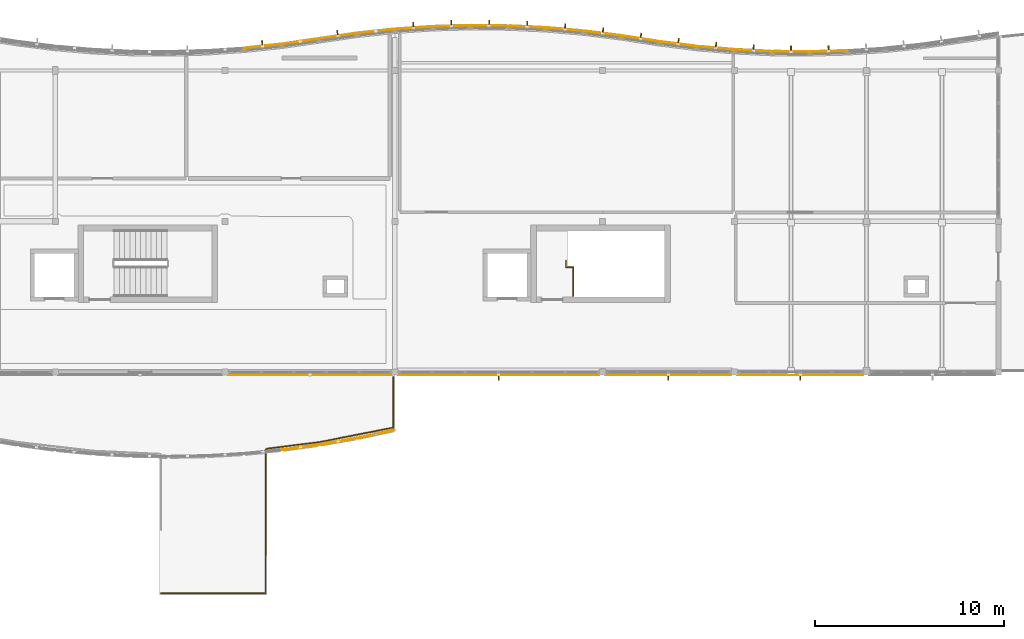
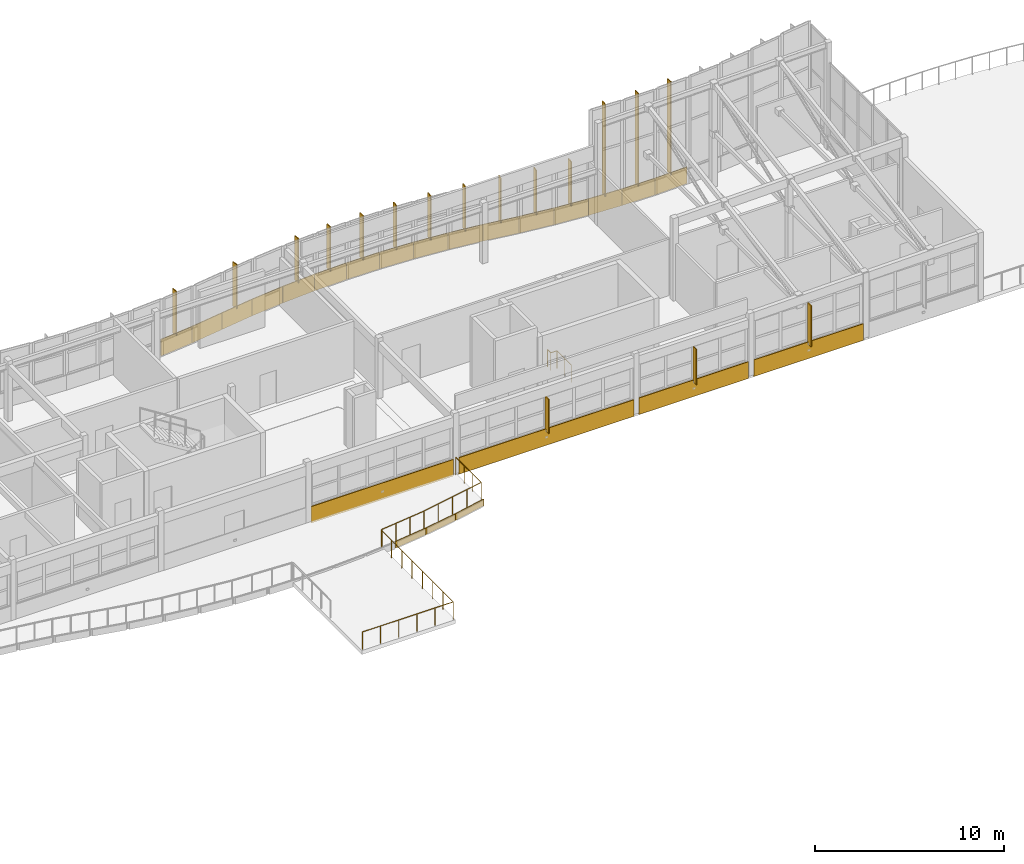
# One storey, part 32 of 33: 23 coverings, 17 shading devices, 2 railings.
"""IFC4 building model written with IfcOpenShell, lengths in metres."""

from ifc_helpers import new_model, si_unit, direction, frame, origin, origin_2d, place, context, subcontext, project, spatial, polyline, rectangle, circle, outline, extrude, material, layer, layer_set, type_object, element, save


model = new_model("IFC4")

# Units and contexts
model_context = context("Model", 3, precision=1e-05, world=origin(), true_north=direction((0.0, 1.0)))
body_context = subcontext(model_context, "Body", "Model", "MODEL_VIEW")
ifc_project = project(units=[si_unit("LENGTHUNIT", "METRE"), si_unit("AREAUNIT", "SQUARE_METRE"), si_unit("VOLUMEUNIT", "CUBIC_METRE"), si_unit("PLANEANGLEUNIT", "RADIAN"), si_unit("MASSUNIT", "GRAM", prefix="KILO")], contexts=[model_context])

# Site, building, storey
site_placement = place(None, origin())
site = spatial("IfcSite", under=ifc_project, at=site_placement, CompositionType="ELEMENT")
building_placement = place(site_placement, origin())
building = spatial("IfcBuilding", under=site, at=building_placement, Name="Tonlespit Floodbar School", CompositionType="ELEMENT")
storey_placement = place(building_placement, frame((0.0, 0.0, 16.199951171875)))
storey = spatial("IfcBuildingStorey", under=building, at=storey_placement, Name="L04", CompositionType="ELEMENT", Elevation=16.199951171875)

# Railing
ifc_material_1 = material(Name="Galvanised Steel", Category="steel")
railing_type_1 = type_object("IfcRailingType", Name="Balustrade_Ext_1150", PredefinedType="BALUSTRADE", material=ifc_material_1)
railing_1_placement = place(storey_placement, frame((115.919921875, 103.752685546875, 0.0)))
element("IfcRailing", 1, at=railing_1_placement, inside=storey, type_object=railing_type_1, Name="L04 terrace balustrade 030", PredefinedType="BALUSTRADE", context=body_context, shape_type="SweptSolid", body=[
    extrude(circle(Radius=0.02392578125, at=origin_2d()), frame((0.0, 0.0, 1.1259765625), z_axis=(0.0, -1.0, 0.0), x_axis=(1.0, 0.0, 0.0)), (0.0, 0.0, 1.0), 2.686279296875),
    extrude(circle(Radius=0.02392578125, at=origin_2d()), frame((0.0, -2.686279296875, 1.1259765625), z_axis=(-0.981279673296, -0.192588168837, 0.0), x_axis=(0.192588168837, -0.981279673296, 0.0)), (0.0, 0.0, 1.0), 4.007080078125),
    extrude(circle(Radius=0.02392578125, at=origin_2d()), frame((-3.93212890625, -3.4580078125, 1.1259765625), z_axis=(-0.992291373418, -0.123926713185, 0.0), x_axis=(0.123926713185, -0.992291373418, 0.0)), (0.0, 0.0, 1.0), 2.78173828125),
    extrude(circle(Radius=0.02392578125, at=origin_2d()), frame((-6.6923828125, -3.802734375, 1.1259765625), z_axis=(-0.858561817184, -0.512710060438, 0.0), x_axis=(0.512710060438, -0.858561817184, 0.0)), (0.0, 0.0, 1.0), 0.08056640625),
    extrude(circle(Radius=0.02392578125, at=origin_2d()), frame((-6.761474609375, -3.843994140625, 1.1259765625), z_axis=(-0.002432381987, -0.999997041755, 0.0), x_axis=(0.999997041755, -0.002432381987, 0.0)), (0.0, 0.0, 1.0), 7.628173828125),
    extrude(circle(Radius=0.02392578125, at=origin_2d()), frame((-6.780029296875, -11.47216796875, 1.1259765625), z_axis=(-0.999999996115, -8.8148442e-05, 0.0), x_axis=(8.8148442e-05, -0.999999996115, 0.0)), (0.0, 0.0, 1.0), 5.539306640625),
    extrude(circle(Radius=0.02099609375, at=origin_2d()), origin(), (0.0, 0.0, 1.0), 1.101806640625),
    extrude(circle(Radius=0.02099609375, at=origin_2d()), frame((0.0, -0.8955078125, 0.0)), (0.0, 0.0, 1.0), 1.101806640625),
    extrude(circle(Radius=0.02099609375, at=origin_2d()), frame((0.0, -1.790771484375, 0.0)), (0.0, 0.0, 1.0), 1.101806640625),
    extrude(circle(Radius=0.02099609375, at=origin_2d()), frame((0.0, -2.686279296875, 0.0)), (0.0, 0.0, 1.0), 1.101806640625),
    extrude(circle(Radius=0.02099609375, at=origin_2d()), frame((-0.98291015625, -2.879150390625, 0.0)), (0.0, 0.0, 1.0), 1.101806640625),
    extrude(circle(Radius=0.02099609375, at=origin_2d()), frame((-1.966064453125, -3.072265625, 0.0)), (0.0, 0.0, 1.0), 1.101806640625),
    extrude(circle(Radius=0.02099609375, at=origin_2d()), frame((-2.94921875, -3.26513671875, 0.0)), (0.0, 0.0, 1.0), 1.101806640625),
    extrude(circle(Radius=0.02099609375, at=origin_2d()), frame((-3.93212890625, -3.4580078125, 0.0)), (0.0, 0.0, 1.0), 1.101806640625),
    extrude(circle(Radius=0.02099609375, at=origin_2d()), frame((-4.852294921875, -3.572998046875, 0.0)), (0.0, 0.0, 1.0), 1.101806640625),
    extrude(circle(Radius=0.02099609375, at=origin_2d()), frame((-5.772216796875, -3.687744140625, 0.0)), (0.0, 0.0, 1.0), 1.101806640625),
    extrude(circle(Radius=0.02099609375, at=origin_2d()), frame((-6.6923828125, -3.802734375, 0.0)), (0.0, 0.0, 1.0), 1.101806640625),
    extrude(circle(Radius=0.02099609375, at=origin_2d()), frame((-6.761474609375, -3.843994140625, 0.0)), (0.0, 0.0, 1.0), 1.101806640625),
    extrude(circle(Radius=0.02099609375, at=origin_2d()), frame((-6.76416015625, -4.933837890625, 0.0)), (0.0, 0.0, 1.0), 1.101806640625),
    extrude(circle(Radius=0.02099609375, at=origin_2d()), frame((-6.766845703125, -6.0234375, 0.0)), (0.0, 0.0, 1.0), 1.101806640625),
    extrude(circle(Radius=0.02099609375, at=origin_2d()), frame((-6.76953125, -7.11328125, 0.0)), (0.0, 0.0, 1.0), 1.101806640625),
    extrude(circle(Radius=0.02099609375, at=origin_2d()), frame((-6.77197265625, -8.202880859375, 0.0)), (0.0, 0.0, 1.0), 1.101806640625),
    extrude(circle(Radius=0.02099609375, at=origin_2d()), frame((-6.774658203125, -9.292724609375, 0.0)), (0.0, 0.0, 1.0), 1.101806640625),
    extrude(circle(Radius=0.02099609375, at=origin_2d()), frame((-6.77734375, -10.38232421875, 0.0)), (0.0, 0.0, 1.0), 1.101806640625),
    extrude(circle(Radius=0.02099609375, at=origin_2d()), frame((-6.780029296875, -11.47216796875, 0.0)), (0.0, 0.0, 1.0), 1.101806640625),
    extrude(circle(Radius=0.02099609375, at=origin_2d()), frame((-7.887939453125, -11.47216796875, 0.0)), (0.0, 0.0, 1.0), 1.101806640625),
    extrude(circle(Radius=0.02099609375, at=origin_2d()), frame((-8.995849609375, -11.472412109375, 0.0)), (0.0, 0.0, 1.0), 1.101806640625),
    extrude(circle(Radius=0.02099609375, at=origin_2d()), frame((-10.103515625, -11.472412109375, 0.0)), (0.0, 0.0, 1.0), 1.101806640625),
    extrude(circle(Radius=0.02099609375, at=origin_2d()), frame((-11.21142578125, -11.47265625, 0.0)), (0.0, 0.0, 1.0), 1.101806640625),
    extrude(circle(Radius=0.02099609375, at=origin_2d()), frame((-12.3193359375, -11.47265625, 0.0)), (0.0, 0.0, 1.0), 1.101806640625),
])

# Coverings
ifc_material_2 = material(Name="White Architectural Aluminium", Category="aluminium")
ifc_layer_1 = layer(ifc_material_2, 0.050048828125)
ifc_layer_set_1 = layer_set([ifc_layer_1], Name="White Architectural Aluminium")
covering_type = type_object("IfcCoveringType", Name="Cladding_WhiteBand_50", PredefinedType="CLADDING", material=ifc_layer_set_1)
covering_1_placement = place(storey_placement, frame((0.0, 0.0, -0.119873046875)))
element("IfcCovering", 2, at=covering_1_placement, inside=storey, type_object=covering_type, Name="L04 curved white spandrel cladding 0329", PredefinedType="CLADDING", context=body_context, shape_type="SweptSolid", body=[
    extrude(outline(polyline([(107.989501953125, 121.14501953125), (109.989501953125, 121.35791015625), (109.984130859375, 121.407470703125), (107.984130859375, 121.19482421875), (107.989501953125, 121.14501953125)])), origin(), (0.0, 0.0, 1.0), 1.06982421875),
])
covering_2_placement = place(storey_placement, frame((0.0, 0.0, -0.119873046875)))
element("IfcCovering", 3, at=covering_2_placement, inside=storey, type_object=covering_type, Name="L04 curved white spandrel cladding 0330", PredefinedType="CLADDING", context=body_context, shape_type="SweptSolid", body=[
    extrude(outline(polyline([(109.985595703125, 121.357421875), (111.985595703125, 121.64892578125), (111.978515625, 121.698486328125), (109.978515625, 121.406982421875), (109.985595703125, 121.357421875)])), origin(), (0.0, 0.0, 1.0), 1.06982421875),
])
covering_3_placement = place(storey_placement, frame((0.0, 0.0, -0.119873046875)))
element("IfcCovering", 4, at=covering_3_placement, inside=storey, type_object=covering_type, Name="L04 curved white spandrel cladding 0331", PredefinedType="CLADDING", context=body_context, shape_type="SweptSolid", body=[
    extrude(outline(polyline([(111.985595703125, 121.64892578125), (113.985595703125, 121.940673828125), (113.978515625, 121.989990234375), (111.978515625, 121.698486328125), (111.985595703125, 121.64892578125)])), origin(), (0.0, 0.0, 1.0), 1.06982421875),
])
covering_4_placement = place(storey_placement, frame((0.0, 0.0, -0.119873046875)))
element("IfcCovering", 5, at=covering_4_placement, inside=storey, type_object=covering_type, Name="L04 curved white spandrel cladding 0332", PredefinedType="CLADDING", context=body_context, shape_type="SweptSolid", body=[
    extrude(outline(polyline([(113.989501953125, 121.94091796875), (115.989501953125, 122.15380859375), (115.984130859375, 122.203369140625), (113.984130859375, 121.99072265625), (113.989501953125, 121.94091796875)])), origin(), (0.0, 0.0, 1.0), 1.06982421875),
])
covering_5_placement = place(storey_placement, frame((0.0, 0.0, -0.119873046875)))
element("IfcCovering", 6, at=covering_5_placement, inside=storey, type_object=covering_type, Name="L04 curved white spandrel cladding 0333", PredefinedType="CLADDING", context=body_context, shape_type="SweptSolid", body=[
    extrude(outline(polyline([(115.840087890625, 103.89990234375), (107.159912109375, 103.89990234375), (107.159912109375, 103.85009765625), (115.840087890625, 103.85009765625), (115.840087890625, 103.89990234375)])), origin(), (0.0, 0.0, 1.0), 1.06982421875),
])
covering_6_placement = place(storey_placement, frame((0.0, 0.0, -0.300048828125)))
element("IfcCovering", 7, at=covering_6_placement, inside=storey, type_object=covering_type, Name="L04 curved white spandrel cladding 0377", PredefinedType="CLADDING", context=body_context, shape_type="SweptSolid", body=[
    extrude(outline(polyline([(110.0, 99.90380859375), (112.0, 100.175537109375), (112.0, 100.12548828125), (110.0, 99.853759765625), (110.0, 99.90380859375)])), origin(), (0.0, 0.0, 1.0), 0.420166015625),
])
covering_7_placement = place(storey_placement, frame((0.0, 0.0, -0.300048828125)))
element("IfcCovering", 8, at=covering_7_placement, inside=storey, type_object=covering_type, Name="L04 curved white spandrel cladding 0378", PredefinedType="CLADDING", context=body_context, shape_type="SweptSolid", body=[
    extrude(outline(polyline([(112.0, 100.175537109375), (114.0, 100.527099609375), (114.0, 100.47705078125), (112.0, 100.12548828125), (112.0, 100.175537109375)])), origin(), (0.0, 0.0, 1.0), 0.420166015625),
])
covering_8_placement = place(storey_placement, frame((0.0, 0.0, -0.300048828125)))
element("IfcCovering", 9, at=covering_8_placement, inside=storey, type_object=covering_type, Name="L04 curved white spandrel cladding 0379", PredefinedType="CLADDING", context=body_context, shape_type="SweptSolid", body=[
    extrude(outline(polyline([(114.0, 100.527099609375), (116.0, 100.9599609375), (116.0, 100.909912109375), (114.0, 100.47705078125), (114.0, 100.527099609375)])), origin(), (0.0, 0.0, 1.0), 0.420166015625),
])
covering_9_placement = place(storey_placement, frame((0.0, 0.0, -0.119873046875)))
element("IfcCovering", 10, at=covering_9_placement, inside=storey, type_object=covering_type, Name="L04 curved white spandrel cladding 0726", PredefinedType="CLADDING", context=body_context, shape_type="SweptSolid", body=[
    extrude(outline(polyline([(115.993408203125, 122.154052734375), (117.993408203125, 122.2890625), (117.989990234375, 122.339111328125), (115.989990234375, 122.2041015625), (115.993408203125, 122.154052734375)])), origin(), (0.0, 0.0, 1.0), 1.06982421875),
])
covering_10_placement = place(storey_placement, frame((0.0, 0.0, -0.119873046875)))
element("IfcCovering", 11, at=covering_10_placement, inside=storey, type_object=covering_type, Name="L04 curved white spandrel cladding 0727", PredefinedType="CLADDING", context=body_context, shape_type="SweptSolid", body=[
    extrude(outline(polyline([(117.9970703125, 122.289306640625), (119.9970703125, 122.346923828125), (119.99560546875, 122.39697265625), (117.99560546875, 122.33935546875), (117.9970703125, 122.289306640625)])), origin(), (0.0, 0.0, 1.0), 1.06982421875),
])
covering_11_placement = place(storey_placement, frame((0.0, 0.0, -0.119873046875)))
element("IfcCovering", 12, at=covering_11_placement, inside=storey, type_object=covering_type, Name="L04 curved white spandrel cladding 0728", PredefinedType="CLADDING", context=body_context, shape_type="SweptSolid", body=[
    extrude(outline(polyline([(120.0009765625, 122.346923828125), (122.0009765625, 122.327880859375), (122.00146484375, 122.377685546875), (120.00146484375, 122.39697265625), (120.0009765625, 122.346923828125)])), origin(), (0.0, 0.0, 1.0), 1.06982421875),
])
covering_12_placement = place(storey_placement, frame((0.0, 0.0, -0.119873046875)))
element("IfcCovering", 13, at=covering_12_placement, inside=storey, type_object=covering_type, Name="L04 curved white spandrel cladding 0729", PredefinedType="CLADDING", context=body_context, shape_type="SweptSolid", body=[
    extrude(outline(polyline([(122.0048828125, 122.32763671875), (124.0048828125, 122.2314453125), (124.007080078125, 122.28125), (122.007080078125, 122.377685546875), (122.0048828125, 122.32763671875)])), origin(), (0.0, 0.0, 1.0), 1.06982421875),
])
covering_13_placement = place(storey_placement, frame((0.0, 0.0, -0.119873046875)))
element("IfcCovering", 14, at=covering_13_placement, inside=storey, type_object=covering_type, Name="L04 curved white spandrel cladding 0730", PredefinedType="CLADDING", context=body_context, shape_type="SweptSolid", body=[
    extrude(outline(polyline([(124.0087890625, 122.231201171875), (126.0087890625, 122.057373046875), (126.012939453125, 122.107177734375), (124.012939453125, 122.281005859375), (124.0087890625, 122.231201171875)])), origin(), (0.0, 0.0, 1.0), 1.06982421875),
])
covering_14_placement = place(storey_placement, frame((0.0, 0.0, -0.119873046875)))
element("IfcCovering", 15, at=covering_14_placement, inside=storey, type_object=covering_type, Name="L04 curved white spandrel cladding 0731", PredefinedType="CLADDING", context=body_context, shape_type="SweptSolid", body=[
    extrude(outline(polyline([(126.012451171875, 122.056884765625), (128.012451171875, 121.804931640625), (128.018798828125, 121.8544921875), (126.018798828125, 122.1064453125), (126.012451171875, 122.056884765625)])), origin(), (0.0, 0.0, 1.0), 1.06982421875),
])
covering_15_placement = place(storey_placement, frame((0.0, 0.0, -0.119873046875)))
element("IfcCovering", 16, at=covering_15_placement, inside=storey, type_object=covering_type, Name="L04 curved white spandrel cladding 0732", PredefinedType="CLADDING", context=body_context, shape_type="SweptSolid", body=[
    extrude(outline(polyline([(128.015380859375, 121.804443359375), (130.015380859375, 121.4931640625), (130.023193359375, 121.54248046875), (128.023193359375, 121.85400390625), (128.015380859375, 121.804443359375)])), origin(), (0.0, 0.0, 1.0), 1.06982421875),
])
covering_16_placement = place(storey_placement, frame((0.0, 0.0, -0.119873046875)))
element("IfcCovering", 17, at=covering_16_placement, inside=storey, type_object=covering_type, Name="L04 curved white spandrel cladding 0733", PredefinedType="CLADDING", context=body_context, shape_type="SweptSolid", body=[
    extrude(outline(polyline([(130.012451171875, 121.493408203125), (132.012451171875, 121.241455078125), (132.018798828125, 121.291015625), (130.018798828125, 121.543212890625), (130.012451171875, 121.493408203125)])), origin(), (0.0, 0.0, 1.0), 1.06982421875),
])
covering_17_placement = place(storey_placement, frame((0.0, 0.0, -0.119873046875)))
element("IfcCovering", 18, at=covering_17_placement, inside=storey, type_object=covering_type, Name="L04 curved white spandrel cladding 0734", PredefinedType="CLADDING", context=body_context, shape_type="SweptSolid", body=[
    extrude(outline(polyline([(132.0087890625, 121.241943359375), (134.0087890625, 121.068115234375), (134.012939453125, 121.117919921875), (132.012939453125, 121.291748046875), (132.0087890625, 121.241943359375)])), origin(), (0.0, 0.0, 1.0), 1.06982421875),
])
covering_18_placement = place(storey_placement, frame((0.0, 0.0, -0.119873046875)))
element("IfcCovering", 19, at=covering_18_placement, inside=storey, type_object=covering_type, Name="L04 curved white spandrel cladding 0735", PredefinedType="CLADDING", context=body_context, shape_type="SweptSolid", body=[
    extrude(outline(polyline([(134.0048828125, 121.068359375), (136.0048828125, 120.97216796875), (136.007080078125, 121.02197265625), (134.007080078125, 121.118408203125), (134.0048828125, 121.068359375)])), origin(), (0.0, 0.0, 1.0), 1.06982421875),
])
covering_19_placement = place(storey_placement, frame((0.0, 0.0, -0.119873046875)))
element("IfcCovering", 20, at=covering_19_placement, inside=storey, type_object=covering_type, Name="L04 curved white spandrel cladding 0736", PredefinedType="CLADDING", context=body_context, shape_type="SweptSolid", body=[
    extrude(outline(polyline([(136.0009765625, 120.97216796875), (138.0009765625, 120.952880859375), (138.00146484375, 121.0029296875), (136.00146484375, 121.022216796875), (136.0009765625, 120.97216796875)])), origin(), (0.0, 0.0, 1.0), 1.06982421875),
])
covering_20_placement = place(storey_placement, frame((0.0, 0.0, -0.119873046875)))
element("IfcCovering", 21, at=covering_20_placement, inside=storey, type_object=covering_type, Name="L04 curved white spandrel cladding 0737", PredefinedType="CLADDING", context=body_context, shape_type="SweptSolid", body=[
    extrude(outline(polyline([(137.9970703125, 120.952880859375), (139.9970703125, 121.0107421875), (139.99560546875, 121.060791015625), (137.99560546875, 121.0029296875), (137.9970703125, 120.952880859375)])), origin(), (0.0, 0.0, 1.0), 1.06982421875),
])
covering_21_placement = place(storey_placement, frame((0.0, 0.0, -0.119873046875)))
element("IfcCovering", 22, at=covering_21_placement, inside=storey, type_object=covering_type, Name="L04 curved white spandrel cladding 0743", PredefinedType="CLADDING", context=body_context, shape_type="SweptSolid", body=[
    extrude(outline(polyline([(140.840087890625, 103.89990234375), (134.159912109375, 103.89990234375), (134.159912109375, 103.85009765625), (140.840087890625, 103.85009765625), (140.840087890625, 103.89990234375)])), origin(), (0.0, 0.0, 1.0), 1.06982421875),
])
covering_22_placement = place(storey_placement, frame((0.0, 0.0, -0.119873046875)))
element("IfcCovering", 23, at=covering_22_placement, inside=storey, type_object=covering_type, Name="L04 curved white spandrel cladding 0744", PredefinedType="CLADDING", context=body_context, shape_type="SweptSolid", body=[
    extrude(outline(polyline([(133.840087890625, 103.89990234375), (127.159912109375, 103.89990234375), (127.159912109375, 103.85009765625), (133.840087890625, 103.85009765625), (133.840087890625, 103.89990234375)])), origin(), (0.0, 0.0, 1.0), 1.06982421875),
])
covering_23_placement = place(storey_placement, frame((0.0, 0.0, -0.119873046875)))
element("IfcCovering", 24, at=covering_23_placement, inside=storey, type_object=covering_type, Name="L04 curved white spandrel cladding 0745", PredefinedType="CLADDING", context=body_context, shape_type="SweptSolid", body=[
    extrude(outline(polyline([(126.840087890625, 103.89990234375), (116.159912109375, 103.89990234375), (116.159912109375, 103.85009765625), (126.840087890625, 103.85009765625), (126.840087890625, 103.89990234375)])), origin(), (0.0, 0.0, 1.0), 1.06982421875),
])

# Railing
railing_type_2 = type_object("IfcRailingType", Name="Guard_Int_1150", PredefinedType="BALUSTRADE", material=ifc_material_1)
railing_2_placement = place(storey_placement, frame((125.449951171875, 108.050048828125, 0.0)))
element("IfcRailing", 25, at=railing_2_placement, inside=storey, type_object=railing_type_2, Name="L04 ST-C4 top well guard 1", PredefinedType="BALUSTRADE", context=body_context, shape_type="SweptSolid", body=[
    extrude(circle(Radius=0.02392578125, at=origin_2d()), frame((0.0, 0.0, 1.1259765625), z_axis=(0.0, 1.0, 0.0), x_axis=(-1.0, 0.0, 0.0)), (0.0, 0.0, 1.0), 1.52001953125),
    extrude(circle(Radius=0.02392578125, at=origin_2d()), frame((0.0, 1.52001953125, 1.1259765625), z_axis=(-1.0, 0.0, 0.0), x_axis=(0.0, -1.0, 0.0)), (0.0, 0.0, 1.0), 0.3798828125),
    extrude(circle(Radius=0.02392578125, at=origin_2d()), frame((-0.3798828125, 1.52001953125, 1.1259765625), z_axis=(0.0, 1.0, 0.0), x_axis=(-1.0, 0.0, 0.0)), (0.0, 0.0, 1.0), 0.349853515625),
    extrude(circle(Radius=0.02099609375, at=origin_2d()), origin(), (0.0, 0.0, 1.0), 1.101806640625),
    extrude(circle(Radius=0.02099609375, at=origin_2d()), frame((0.0, 0.760009765625, 0.0)), (0.0, 0.0, 1.0), 1.101806640625),
    extrude(circle(Radius=0.02099609375, at=origin_2d()), frame((0.0, 1.52001953125, 0.0)), (0.0, 0.0, 1.0), 1.101806640625),
    extrude(circle(Radius=0.02099609375, at=origin_2d()), frame((-0.3798828125, 1.52001953125, 0.0)), (0.0, 0.0, 1.0), 1.101806640625),
    extrude(circle(Radius=0.02099609375, at=origin_2d()), frame((-0.3798828125, 1.869873046875, 0.0)), (0.0, 0.0, 1.0), 1.101806640625),
])

# Shading devices
ifc_material_3 = material(Name="Terracotta Anodised Aluminium", Category="masonry")
ifc_layer_2 = layer(ifc_material_3, 0.06005859375)
ifc_layer_set_2 = layer_set([ifc_layer_2], Name="Terracotta Anodised Aluminium")
shading_device_type = type_object("IfcShadingDeviceType", Name="Shading_SolarFin_350", PredefinedType="USERDEFINED", material=ifc_layer_set_2)
for number, where, z_axis, x_axis, name in (
    (26, (108.972412109375, 121.41064453125, 0.800048828125), (0.0, 0.0, 1.0), (0.99439234017, 0.105753835922, 0.0), "L04 vertical solar fin 090"),
    (27, (112.96240234375, 121.953125, 0.800048828125), (0.0, 0.0, 1.0), (0.989537627347, 0.144275029245, 0.0), "L04 vertical solar fin 091"),
):
    element("IfcShadingDevice", number, at=place(storey_placement, frame(where, z_axis=z_axis, x_axis=x_axis)), inside=storey, type_object=shading_device_type, Name=name, ObjectType="SOLAR FIN", PredefinedType="USERDEFINED", context=body_context, shape_type="SweptSolid", body=[
        extrude(rectangle(XDim=0.06005859375, YDim=0.35009765625, at=origin_2d()), origin(), (0.0, 0.0, 1.0), 2.85009765625),
    ])
for number, where, z_axis, x_axis, name in (
    (28, (116.982421875, 122.381103515625, 0.800048828125), (0.0, 0.0, 1.0), (0.997729639049, 0.067346621018, 0.0), "L04 vertical solar fin 325"),
    (29, (118.992431640625, 122.47802734375, 0.800048828125), (0.0, 0.0, 1.0), (0.999584110869, 0.02883756748, 0.0), "L04 vertical solar fin 326"),
    (30, (121.00244140625, 122.497314453125, 0.800048828125), (0.0, 0.0, 1.0), (0.999953926969, -0.009599163462, 0.0), "L04 vertical solar fin 327"),
    (31, (123.012451171875, 122.439208984375, 0.800048828125), (0.0, 0.0, 1.0), (0.998842769234, -0.048094930587, 0.0), "L04 vertical solar fin 328"),
    (32, (125.0224609375, 122.3037109375, 0.800048828125), (0.0, 0.0, 1.0), (0.996245486492, -0.086573267488, 0.0), "L04 vertical solar fin 329"),
    (33, (127.032470703125, 122.089599609375, 0.800048828125), (0.0, 0.0, 1.0), (0.99215533612, -0.125011155539, 0.0), "L04 vertical solar fin 330"),
    (34, (129.0400390625, 121.806884765625, 0.800048828125), (0.0, 0.0, 1.0), (0.988094768361, -0.153846445322, 0.0), "L04 vertical solar fin 331"),
    (35, (131.032470703125, 121.5263671875, 0.800048828125), (0.0, 0.0, 1.0), (0.99215533612, -0.125011155539, 0.0), "L04 vertical solar fin 332"),
    (36, (133.0224609375, 121.314453125, 0.800048828125), (0.0, 0.0, 1.0), (0.996245486492, -0.086573267488, 0.0), "L04 vertical solar fin 333"),
):
    element("IfcShadingDevice", number, at=place(storey_placement, frame(where, z_axis=z_axis, x_axis=x_axis)), inside=storey, type_object=shading_device_type, Name=name, ObjectType="SOLAR FIN", PredefinedType="USERDEFINED", context=body_context, shape_type="SweptSolid", body=[
        extrude(rectangle(XDim=0.06005859375, YDim=0.35009765625, at=origin_2d()), origin(), (0.0, 0.0, 1.0), 2.85400390625),
    ])
shading_device_1_placement = place(storey_placement, frame((135.012451171875, 121.179931640625, 0.80029296875), z_axis=(0.0, 0.0, 1.0), x_axis=(0.998842769234, -0.048094930587, 0.0)))
element("IfcShadingDevice", 37, at=shading_device_1_placement, inside=storey, type_object=shading_device_type, Name="L04 vertical solar fin 334", ObjectType="SOLAR FIN", PredefinedType="USERDEFINED", context=body_context, shape_type="SweptSolid", body=[
    extrude(rectangle(XDim=0.06005859375, YDim=0.35009765625, at=origin_2d()), origin(), (0.0, 0.0, 1.0), 5.952392578125),
])
shading_device_2_placement = place(storey_placement, frame((137.00244140625, 121.12255859375, 0.800048828125), z_axis=(0.0, 0.0, 1.0), x_axis=(0.999953926969, -0.009599163462, 0.0)))
element("IfcShadingDevice", 38, at=shading_device_2_placement, inside=storey, type_object=shading_device_type, Name="L04 vertical solar fin 335", ObjectType="SOLAR FIN", PredefinedType="USERDEFINED", context=body_context, shape_type="SweptSolid", body=[
    extrude(rectangle(XDim=0.06005859375, YDim=0.35009765625, at=origin_2d()), origin(), (0.0, 0.0, 1.0), 5.978515625),
])
shading_device_3_placement = place(storey_placement, frame((138.992431640625, 121.1416015625, 0.800048828125), z_axis=(0.0, 0.0, 1.0), x_axis=(0.999584110869, 0.02883756748, 0.0)))
element("IfcShadingDevice", 39, at=shading_device_3_placement, inside=storey, type_object=shading_device_type, Name="L04 vertical solar fin 336", ObjectType="SOLAR FIN", PredefinedType="USERDEFINED", context=body_context, shape_type="SweptSolid", body=[
    extrude(rectangle(XDim=0.06005859375, YDim=0.35009765625, at=origin_2d()), origin(), (0.0, 0.0, 1.0), 6.0166015625),
])
shading_device_4_placement = place(storey_placement, frame((137.5, 103.739990234375, 0.800048828125), z_axis=(0.0, 0.0, 1.0), x_axis=(-1.0, 0.0, 0.0)))
element("IfcShadingDevice", 40, at=shading_device_4_placement, inside=storey, type_object=shading_device_type, Name="L04 vertical solar fin 342", ObjectType="SOLAR FIN", PredefinedType="USERDEFINED", context=body_context, shape_type="SweptSolid", body=[
    extrude(rectangle(XDim=0.06005859375, YDim=0.35009765625, at=origin_2d()), origin(), (0.0, 0.0, 1.0), 2.6435546875),
])
shading_device_5_placement = place(storey_placement, frame((130.5, 103.739990234375, 0.800048828125), z_axis=(0.0, 0.0, 1.0), x_axis=(-1.0, 0.0, 0.0)))
element("IfcShadingDevice", 41, at=shading_device_5_placement, inside=storey, type_object=shading_device_type, Name="L04 vertical solar fin 343", ObjectType="SOLAR FIN", PredefinedType="USERDEFINED", context=body_context, shape_type="SweptSolid", body=[
    extrude(rectangle(XDim=0.06005859375, YDim=0.35009765625, at=origin_2d()), origin(), (0.0, 0.0, 1.0), 2.2900390625),
])
shading_device_6_placement = place(storey_placement, frame((121.5, 103.739990234375, 0.800048828125), z_axis=(0.0, 0.0, 1.0), x_axis=(-1.0, 0.0, 0.0)))
element("IfcShadingDevice", 42, at=shading_device_6_placement, inside=storey, type_object=shading_device_type, Name="L04 vertical solar fin 344", ObjectType="SOLAR FIN", PredefinedType="USERDEFINED", context=body_context, shape_type="SweptSolid", body=[
    extrude(rectangle(XDim=0.06005859375, YDim=0.35009765625, at=origin_2d()), origin(), (0.0, 0.0, 1.0), 2.2099609375),
])

save(model, "model.ifc")
